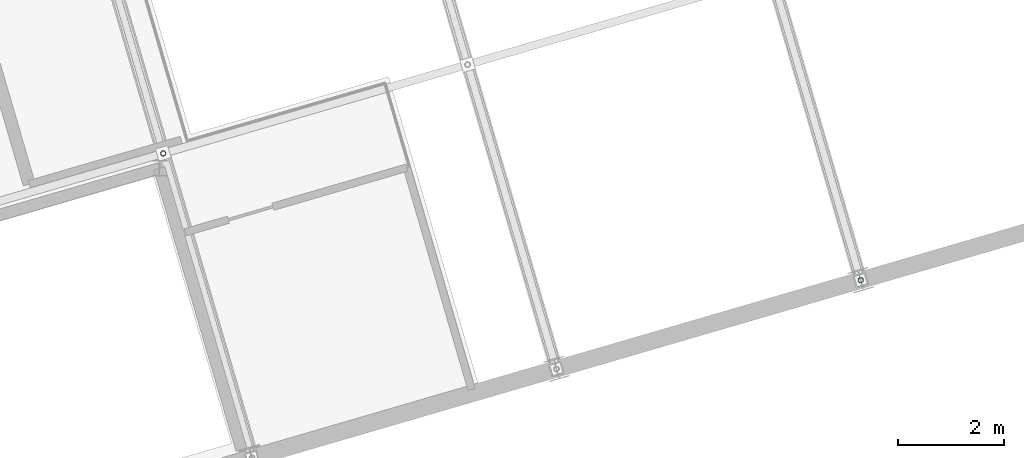
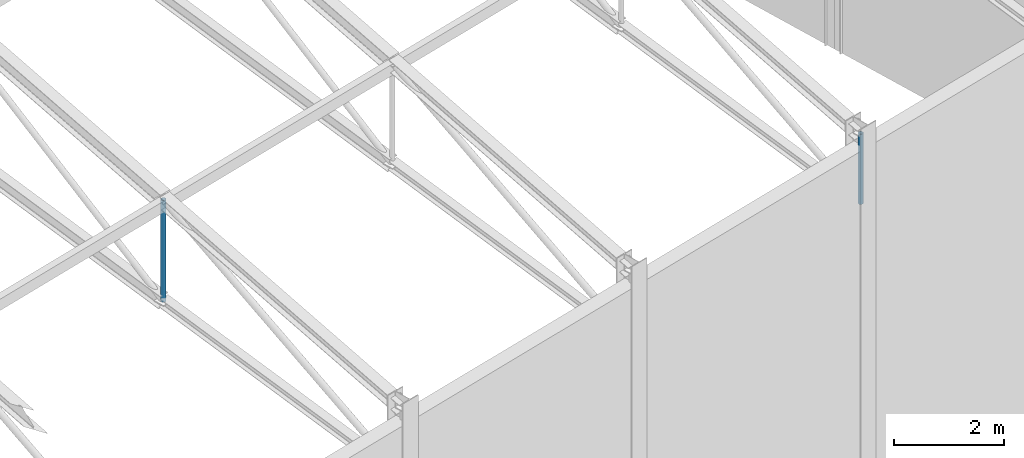
# One storey, part 163 of 248: 2 members.
"""IFC4 building model written with IfcOpenShell, lengths in metres."""

from ifc_helpers import new_model, si_unit, direction, frame, origin, origin_2d, place, context, subcontext, project, spatial, hollow_circle, extrude, material, material_profile, profile_set, type_object, element, save


model = new_model("IFC4")

# Units and contexts
model_context = context("Model", 3, precision=1e-05, world=origin(), true_north=direction((0.0, 1.0)))
body_context = subcontext(model_context, "Body", "Model", "MODEL_VIEW")
ifc_project = project(units=[si_unit("LENGTHUNIT", "METRE"), si_unit("AREAUNIT", "SQUARE_METRE"), si_unit("VOLUMEUNIT", "CUBIC_METRE"), si_unit("PLANEANGLEUNIT", "RADIAN"), si_unit("MASSUNIT", "GRAM", prefix="KILO")], contexts=[model_context])

# Site, building, storey
site_placement = place(None, origin())
site = spatial("IfcSite", under=ifc_project, at=site_placement, CompositionType="ELEMENT")
building_placement = place(site_placement, origin())
building = spatial("IfcBuilding", under=site, at=building_placement, Name="Canggui Botanical Conservatory", CompositionType="ELEMENT")
storey_placement = place(building_placement, frame((0.0, 0.0, 5.39990234375)))
storey = spatial("IfcBuildingStorey", under=building, at=storey_placement, Name="L02", CompositionType="ELEMENT", Elevation=5.39990234375)

# Members
ifc_material = material(Name="Steel Q355B", Category="steel")
ifc_material_profile = material_profile(ifc_material, hollow_circle(Radius=0.051025390625, WallThickness=0.0048828125, at=origin_2d()), Name="CHS 102x5")
ifc_profile_set = profile_set([ifc_material_profile], Name="Steel Q355B")
member_type = type_object("IfcMemberType", Name="MEM-TW04", PredefinedType="BRACE", material=ifc_profile_set)
member_1_placement = place(storey_placement, frame((75.840087890625, 99.1201171875, 9.400146484375), z_axis=(0.0, 0.0, 1.0), x_axis=(1.0, 0.0, 0.0)))
element("IfcMember", 1, at=member_1_placement, inside=storey, type_object=member_type, Name="Auditorium Truss AT-03 Vertical Post 2", PredefinedType="BRACE", context=body_context, shape_type="SweptSolid", body=[
    extrude(hollow_circle(Radius=0.051025390625, WallThickness=0.0048828125, at=origin_2d()), origin(), (0.0, 0.0, 1.0), 2.25),
])
member_2_placement = place(storey_placement, frame((89.0400390625, 96.719970703125, 8.400146484375), z_axis=(0.0, 0.0, 1.0), x_axis=(1.0, 0.0, 0.0)))
element("IfcMember", 2, at=member_2_placement, inside=storey, type_object=member_type, Name="Auditorium Truss AT-05 Vertical Post 1", PredefinedType="BRACE", context=body_context, shape_type="SweptSolid", body=[
    extrude(hollow_circle(Radius=0.051025390625, WallThickness=0.0048828125, at=origin_2d()), origin(), (0.0, 0.0, 1.0), 1.550048828125),
])

save(model, "model.ifc")
